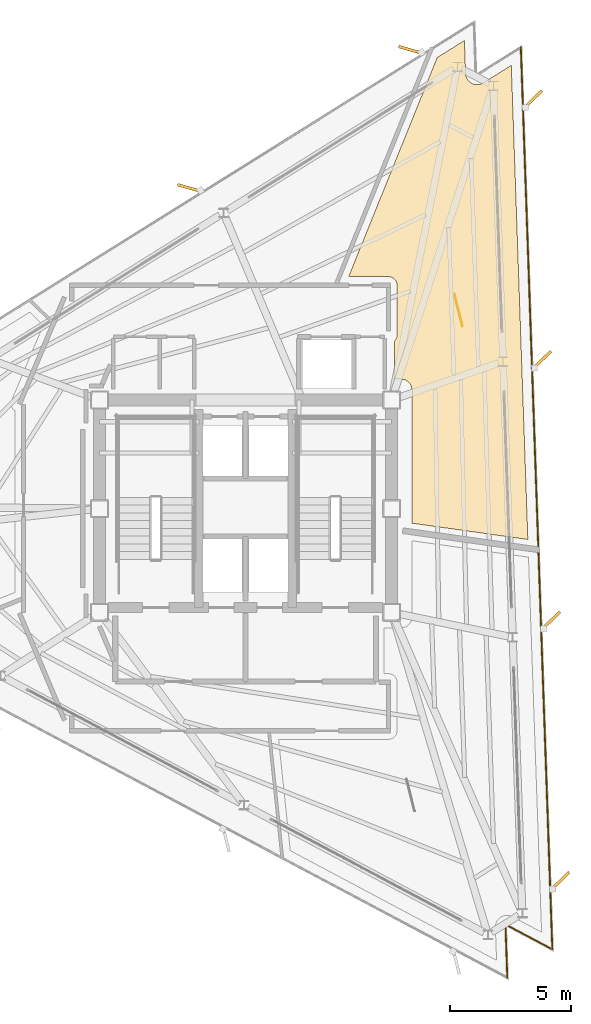
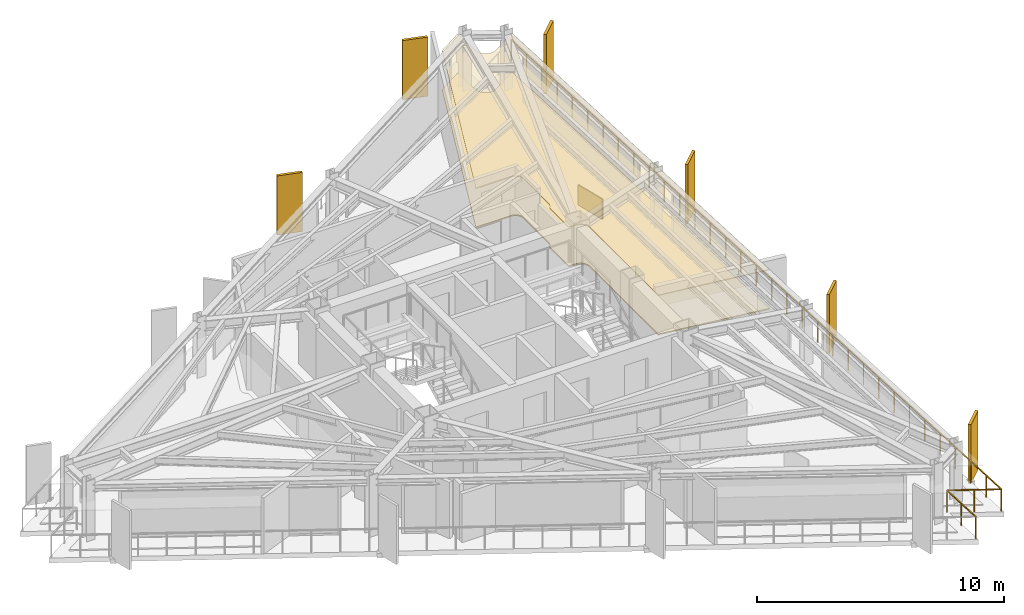
# One storey, part 12 of 12: 6 shading devices, 3 coverings, 1 railing.
"""IFC4 building model written with IfcOpenShell, lengths in metres."""

from ifc_helpers import new_model, si_unit, direction, frame, origin, origin_2d, place, context, subcontext, project, spatial, polyline, rectangle, outline, extrude, material, layer, layer_set, type_object, element, save


model = new_model("IFC4")

# Units and contexts
model_context = context("Model", 3, precision=1e-05, world=origin(), true_north=direction((0.0, 1.0)))
body_context = subcontext(model_context, "Body", "Model", "MODEL_VIEW")
ifc_project = project(units=[si_unit("LENGTHUNIT", "METRE"), si_unit("AREAUNIT", "SQUARE_METRE"), si_unit("VOLUMEUNIT", "CUBIC_METRE"), si_unit("PLANEANGLEUNIT", "RADIAN"), si_unit("MASSUNIT", "GRAM", prefix="KILO")], contexts=[model_context])

# Site, building, storey
site_placement = place(None, origin())
site = spatial("IfcSite", under=ifc_project, at=site_placement, CompositionType="ELEMENT")
building_placement = place(site_placement, origin())
building = spatial("IfcBuilding", under=site, at=building_placement, Name="Rocaltana Carrier Exchange", CompositionType="ELEMENT")
storey_placement = place(building_placement, frame((0.0, 0.0, 205.760009765625)))
storey = spatial("IfcBuildingStorey", under=building, at=storey_placement, Name="L65", CompositionType="ELEMENT", Elevation=205.760009765625)

# Coverings
ifc_material_1 = material(Name="Calcium Sulphate & Aluminium Pedestal", Category="aluminium")
ifc_layer_1 = layer(ifc_material_1, 0.06005859375)
ifc_layer_set_1 = layer_set([ifc_layer_1], Name="Calcium Sulphate & Aluminium Pedestal")
covering_type_1 = type_object("IfcCoveringType", Name="Anti-Static Raised Exchange Access Floor 60", PredefinedType="FLOORING", material=ifc_layer_set_1)
covering_1_placement = place(storey_placement, origin())
element("IfcCovering", 1, at=covering_1_placement, inside=storey, type_object=covering_type_1, Name="L65 Cloud Architecture Office Finish Floor", PredefinedType="FLOORING", context=body_context, shape_type="SweptSolid", body=[
    extrude(outline(polyline([(6.159912109375, 6.931884765625), (6.16455078125, 6.93603515625), (6.18408203125, 6.955322265625), (6.189208984375, 6.961181640625), (6.206787109375, 6.982421875), (6.21142578125, 6.98876953125), (6.226806640625, 7.01171875), (6.230712890625, 7.018310546875), (6.24365234375, 7.04248046875), (6.2470703125, 7.0498046875), (6.257568359375, 7.0751953125), (6.26025390625, 7.08251953125), (6.268310546875, 7.108642578125), (6.27001953125, 7.116455078125), (6.275390625, 7.143310546875), (6.276611328125, 7.151123046875), (6.279296875, 7.178466796875), (6.27978515625, 7.186279296875), (6.280029296875, 7.199951171875), (6.280029296875, 9.25), (6.27978515625, 9.263671875), (6.279296875, 9.271484375), (6.276611328125, 9.298828125), (6.275390625, 9.306640625), (6.27001953125, 9.33349609375), (6.268310546875, 9.34130859375), (6.26025390625, 9.36767578125), (6.257568359375, 9.375), (6.2470703125, 9.400390625), (6.24365234375, 9.407470703125), (6.230712890625, 9.431640625), (6.226806640625, 9.4384765625), (6.21142578125, 9.461181640625), (6.206787109375, 9.467529296875), (6.189208984375, 9.48876953125), (6.18408203125, 9.49462890625), (6.16455078125, 9.513916015625), (6.15869140625, 9.519287109375), (6.137451171875, 9.53662109375), (6.131103515625, 9.54150390625), (6.1083984375, 9.556640625), (6.101806640625, 9.560791015625), (6.077392578125, 9.57373046875), (6.0703125, 9.576904296875), (6.044921875, 9.58740234375), (6.03759765625, 9.590087890625), (6.01123046875, 9.59814453125), (6.003662109375, 9.60009765625), (5.976806640625, 9.60546875), (5.968994140625, 9.606689453125), (5.941650390625, 9.609375), (5.93359375, 9.609619140625), (5.919921875, 9.610107421875), (4.27099609375, 9.610107421875), (7.940673828125, 18.6923828125), (9.067626953125, 19.39697265625), (9.115478515625, 18.029052734375), (9.1162109375, 18.01513671875), (9.117919921875, 17.995361328125), (9.121826171875, 17.9677734375), (9.12548828125, 17.947998046875), (9.1318359375, 17.9208984375), (9.137451171875, 17.90185546875), (9.146484375, 17.87548828125), (9.154052734375, 17.85693359375), (9.166015625, 17.83154296875), (9.175048828125, 17.81396484375), (9.189208984375, 17.789794921875), (9.2001953125, 17.773193359375), (9.216796875, 17.750732421875), (9.2294921875, 17.7353515625), (9.248046875, 17.714599609375), (9.26220703125, 17.700439453125), (9.28271484375, 17.681640625), (9.298095703125, 17.6689453125), (9.320556640625, 17.65234375), (9.337158203125, 17.641357421875), (9.361083984375, 17.626953125), (9.37890625, 17.61767578125), (9.404052734375, 17.605712890625), (9.422607421875, 17.59814453125), (9.44873046875, 17.5888671875), (9.468017578125, 17.583251953125), (9.4951171875, 17.57666015625), (9.5146484375, 17.572998046875), (9.542236328125, 17.569091796875), (9.56201171875, 17.567138671875), (9.590087890625, 17.566162109375), (9.610107421875, 17.56640625), (9.6376953125, 17.56787109375), (9.65771484375, 17.570068359375), (9.685302734375, 17.57470703125), (9.70458984375, 17.57861328125), (9.731689453125, 17.5859375), (9.750732421875, 17.591796875), (9.77685546875, 17.601806640625), (9.795166015625, 17.609619140625), (9.820068359375, 17.6220703125), (9.83740234375, 17.631591796875), (9.849609375, 17.638916015625), (11.01025390625, 18.364013671875), (11.6962890625, -1.2802734375), (6.889892578125, -0.604736328125), (6.889892578125, 4.919921875), (6.8896484375, 4.93359375), (6.888916015625, 4.949462890625), (6.88623046875, 4.976806640625), (6.8837890625, 4.9921875), (6.87841796875, 5.019287109375), (6.874755859375, 5.034423828125), (6.86669921875, 5.060791015625), (6.861572265625, 5.07568359375), (6.850830078125, 5.100830078125), (6.84423828125, 5.114990234375), (6.831298828125, 5.139404296875), (6.8232421875, 5.15283203125), (6.807861328125, 5.17578125), (6.798583984375, 5.188232421875), (6.781005859375, 5.20947265625), (6.7705078125, 5.22119140625), (6.751220703125, 5.240478515625), (6.739501953125, 5.251220703125), (6.71826171875, 5.2685546875), (6.705810546875, 5.27783203125), (6.682861328125, 5.293212890625), (6.66943359375, 5.30126953125), (6.64501953125, 5.314208984375), (6.630859375, 5.32080078125), (6.605712890625, 5.33154296875), (6.5908203125, 5.336669921875), (6.564453125, 5.3447265625), (6.54931640625, 5.348388671875), (6.522216796875, 5.35400390625), (6.5068359375, 5.356201171875), (6.4794921875, 5.35888671875), (6.463623046875, 5.359619140625), (6.449951171875, 5.360107421875), (6.159912109375, 5.360107421875), (6.159912109375, 6.931884765625)])), origin(), (0.0, 0.0, 1.0), 0.06005859375),
])
ifc_material_2 = material(Name="Mineral Fibre & Powder-Coated Aluminium", Category="aluminium")
ifc_layer_2 = layer(ifc_material_2, 0.044921875)
ifc_layer_set_2 = layer_set([ifc_layer_2], Name="Mineral Fibre & Powder-Coated Aluminium")
covering_type_2 = type_object("IfcCoveringType", Name="Micro-Perforated Acoustic Ceiling 45", PredefinedType="CEILING", material=ifc_layer_set_2)
covering_2_placement = place(storey_placement, frame((0.0, 0.0, 1.94287109375)))
element("IfcCovering", 2, at=covering_2_placement, inside=storey, type_object=covering_type_2, Name="L65 Cloud Architecture Office Acoustic Ceiling", PredefinedType="CEILING", context=body_context, shape_type="SweptSolid", body=[
    extrude(outline(polyline([(6.159912109375, 6.931884765625), (6.16455078125, 6.93603515625), (6.18408203125, 6.955322265625), (6.189208984375, 6.961181640625), (6.206787109375, 6.982421875), (6.21142578125, 6.98876953125), (6.226806640625, 7.01171875), (6.230712890625, 7.018310546875), (6.24365234375, 7.04248046875), (6.2470703125, 7.0498046875), (6.257568359375, 7.0751953125), (6.26025390625, 7.08251953125), (6.268310546875, 7.108642578125), (6.27001953125, 7.116455078125), (6.275390625, 7.143310546875), (6.276611328125, 7.151123046875), (6.279296875, 7.178466796875), (6.27978515625, 7.186279296875), (6.280029296875, 7.199951171875), (6.280029296875, 9.25), (6.27978515625, 9.263671875), (6.279296875, 9.271484375), (6.276611328125, 9.298828125), (6.275390625, 9.306640625), (6.27001953125, 9.33349609375), (6.268310546875, 9.34130859375), (6.26025390625, 9.36767578125), (6.257568359375, 9.375), (6.2470703125, 9.400390625), (6.24365234375, 9.407470703125), (6.230712890625, 9.431640625), (6.226806640625, 9.4384765625), (6.21142578125, 9.461181640625), (6.206787109375, 9.467529296875), (6.189208984375, 9.48876953125), (6.18408203125, 9.49462890625), (6.16455078125, 9.513916015625), (6.15869140625, 9.519287109375), (6.137451171875, 9.53662109375), (6.131103515625, 9.54150390625), (6.1083984375, 9.556640625), (6.101806640625, 9.560791015625), (6.077392578125, 9.57373046875), (6.0703125, 9.576904296875), (6.044921875, 9.58740234375), (6.03759765625, 9.590087890625), (6.01123046875, 9.59814453125), (6.003662109375, 9.60009765625), (5.976806640625, 9.60546875), (5.968994140625, 9.606689453125), (5.941650390625, 9.609375), (5.93359375, 9.609619140625), (5.919921875, 9.610107421875), (4.27099609375, 9.610107421875), (7.940673828125, 18.6923828125), (9.067626953125, 19.39697265625), (9.115478515625, 18.029052734375), (9.1162109375, 18.01513671875), (9.117919921875, 17.995361328125), (9.121826171875, 17.9677734375), (9.12548828125, 17.947998046875), (9.1318359375, 17.9208984375), (9.137451171875, 17.90185546875), (9.146484375, 17.87548828125), (9.154052734375, 17.85693359375), (9.166015625, 17.83154296875), (9.175048828125, 17.81396484375), (9.189208984375, 17.789794921875), (9.2001953125, 17.773193359375), (9.216796875, 17.750732421875), (9.2294921875, 17.7353515625), (9.248046875, 17.714599609375), (9.26220703125, 17.700439453125), (9.28271484375, 17.681640625), (9.298095703125, 17.6689453125), (9.320556640625, 17.65234375), (9.337158203125, 17.641357421875), (9.361083984375, 17.626953125), (9.37890625, 17.61767578125), (9.404052734375, 17.605712890625), (9.422607421875, 17.59814453125), (9.44873046875, 17.5888671875), (9.468017578125, 17.583251953125), (9.4951171875, 17.57666015625), (9.5146484375, 17.572998046875), (9.542236328125, 17.569091796875), (9.56201171875, 17.567138671875), (9.590087890625, 17.566162109375), (9.610107421875, 17.56640625), (9.6376953125, 17.56787109375), (9.65771484375, 17.570068359375), (9.685302734375, 17.57470703125), (9.70458984375, 17.57861328125), (9.731689453125, 17.5859375), (9.750732421875, 17.591796875), (9.77685546875, 17.601806640625), (9.795166015625, 17.609619140625), (9.820068359375, 17.6220703125), (9.83740234375, 17.631591796875), (9.849609375, 17.638916015625), (11.01025390625, 18.364013671875), (11.6962890625, -1.2802734375), (6.889892578125, -0.604736328125), (6.889892578125, 4.919921875), (6.8896484375, 4.93359375), (6.888916015625, 4.949462890625), (6.88623046875, 4.976806640625), (6.8837890625, 4.9921875), (6.87841796875, 5.019287109375), (6.874755859375, 5.034423828125), (6.86669921875, 5.060791015625), (6.861572265625, 5.07568359375), (6.850830078125, 5.100830078125), (6.84423828125, 5.114990234375), (6.831298828125, 5.139404296875), (6.8232421875, 5.15283203125), (6.807861328125, 5.17578125), (6.798583984375, 5.188232421875), (6.781005859375, 5.20947265625), (6.7705078125, 5.22119140625), (6.751220703125, 5.240478515625), (6.739501953125, 5.251220703125), (6.71826171875, 5.2685546875), (6.705810546875, 5.27783203125), (6.682861328125, 5.293212890625), (6.66943359375, 5.30126953125), (6.64501953125, 5.314208984375), (6.630859375, 5.32080078125), (6.605712890625, 5.33154296875), (6.5908203125, 5.336669921875), (6.564453125, 5.3447265625), (6.54931640625, 5.348388671875), (6.522216796875, 5.35400390625), (6.5068359375, 5.356201171875), (6.4794921875, 5.35888671875), (6.463623046875, 5.359619140625), (6.449951171875, 5.360107421875), (6.159912109375, 5.360107421875), (6.159912109375, 6.931884765625)])), origin(), (0.0, 0.0, 1.0), 0.045166015625),
])
ifc_material_3 = material(Name="Honed Piedra Muneca Sandstone", Category="masonry")
ifc_layer_3 = layer(ifc_material_3, 0.034912109375)
ifc_layer_set_3 = layer_set([ifc_layer_3], Name="Honed Piedra Muneca Sandstone")
covering_type_3 = type_object("IfcCoveringType", Name="Stone Facade Cladding 35", PredefinedType="CLADDING", material=ifc_layer_set_3)
covering_3_placement = place(storey_placement, frame((8.822021484375, 8.22509765625, 0.0), z_axis=(0.0, 0.0, 1.0), x_axis=(-0.2419218956, 0.970295726276, 0.0)))
element("IfcCovering", 3, at=covering_3_placement, inside=storey, type_object=covering_type_3, Name="L65 Stone Facade Cladding Panel 3", PredefinedType="CLADDING", context=body_context, shape_type="SweptSolid", body=[
    extrude(rectangle(XDim=1.39990234375, YDim=0.034912109375, at=origin_2d()), origin(), (0.0, 0.0, 1.0), 1.050048828125),
])

# Shading devices
ifc_material_4 = material(Name="Honed Bogota Sandstone & Concrete C45/55", Category="masonry")
ifc_layer_4 = layer(ifc_material_4, 0.1201171875)
ifc_layer_set_4 = layer_set([ifc_layer_4], Name="Honed Bogota Sandstone & Concrete C45/55")
shading_device_type = type_object("IfcShadingDeviceType", Name="Upper Sandstone Shading Fin 1050x120", PredefinedType="USERDEFINED", material=ifc_layer_set_4)
for number, where, z_axis, x_axis, name in (
    (4, (13.03125, -15.43017578125, -0.119873046875), (0.0, 0.0, 1.0), (0.719339800339, 0.694658370459, 0.0), "L65 Sandstone Vertical Fin F1-01"),
    (5, (12.654296875, -4.63671875, -0.119873046875), (0.0, 0.0, 1.0), (0.719339800339, 0.694658370459, 0.0), "L65 Sandstone Vertical Fin F1-02"),
    (6, (12.27734375, 6.15673828125, -0.119873046875), (0.0, 0.0, 1.0), (0.719339800339, 0.694658370459, 0.0), "L65 Sandstone Vertical Fin F1-03"),
    (7, (11.900390625, 16.9501953125, -0.119873046875), (0.0, 0.0, 1.0), (0.719339800339, 0.694658370459, 0.0), "L65 Sandstone Vertical Fin F1-04"),
    (8, (6.84716796875, 19.00048828125, -0.119873046875), (0.0, 0.0, 1.0), (-0.961261695938, 0.275637355817, 0.0), "L65 Sandstone Vertical Fin F2-01"),
    (9, (-2.311767578125, 13.27734375, -0.119873046875), (0.0, 0.0, 1.0), (-0.961261695938, 0.275637355817, 0.0), "L65 Sandstone Vertical Fin F2-02"),
):
    element("IfcShadingDevice", number, at=place(storey_placement, frame(where, z_axis=z_axis, x_axis=x_axis)), inside=storey, type_object=shading_device_type, Name=name, ObjectType="FIN", PredefinedType="USERDEFINED", context=body_context, shape_type="SweptSolid", body=[
        extrude(rectangle(XDim=1.050048828125, YDim=0.1201171875, at=origin_2d()), origin(), (0.0, 0.0, 1.0), 2.91796875),
    ])

# Railing
ifc_material_5 = material(Name="Powder-Coated Aluminium 6063-T6", Category="aluminium")
ifc_layer_5 = layer(ifc_material_5, 0.06005859375)
ifc_layer_set_5 = layer_set([ifc_layer_5], Name="Powder-Coated Aluminium 6063-T6")
railing_type = type_object("IfcRailingType", Name="Wind-Floor & Terrace Perimeter Guardrail 1100", PredefinedType="GUARDRAIL", material=ifc_layer_set_5)
railing_placement = place(storey_placement, frame((11.404541015625, 19.105712890625, 0.0)))
element("IfcRailing", 10, at=railing_placement, inside=storey, type_object=railing_type, Name="L65 Perimeter Balcony Guardrail 3", PredefinedType="GUARDRAIL", context=body_context, shape_type="SweptSolid", body=[
    extrude(rectangle(XDim=0.048095703125, YDim=0.048095703125, at=origin_2d()), frame((0.0, 0.0, 1.076171875), z_axis=(0.034898534283, -0.999390860627, 0.0), x_axis=(0.999390860627, 0.034898534283, 0.0)), (0.0, 0.0, 1.0), 37.39208984375),
    extrude(rectangle(XDim=0.048095703125, YDim=0.048095703125, at=origin_2d()), frame((1.304931640625, -37.369384765625, 1.076171875), z_axis=(-0.882914480843, 0.469533832133, 0.0), x_axis=(-0.469533832133, -0.882914480843, 0.0)), (0.0, 0.0, 1.0), 2.199951171875),
    extrude(rectangle(XDim=0.048095703125, YDim=0.048095703125, at=origin_2d()), frame((-0.637451171875, -36.33642578125, 1.076171875), z_axis=(0.034844472857, -0.999392746978, 0.0), x_axis=(0.999392746978, 0.034844472857, 0.0)), (0.0, 0.0, 1.0), 2.199951171875),
    extrude(rectangle(XDim=0.0419921875, YDim=0.0419921875, at=origin_2d()), origin(), (0.0, 0.0, 1.0), 1.052001953125),
    extrude(rectangle(XDim=0.0419921875, YDim=0.0419921875, at=origin_2d()), frame((0.040771484375, -1.167724609375, 0.0)), (0.0, 0.0, 1.0), 1.052001953125),
    extrude(rectangle(XDim=0.0419921875, YDim=0.0419921875, at=origin_2d()), frame((0.08154296875, -2.335693359375, 0.0)), (0.0, 0.0, 1.0), 1.052001953125),
    extrude(rectangle(XDim=0.0419921875, YDim=0.0419921875, at=origin_2d()), frame((0.122314453125, -3.50341796875, 0.0)), (0.0, 0.0, 1.0), 1.052001953125),
    extrude(rectangle(XDim=0.0419921875, YDim=0.0419921875, at=origin_2d()), frame((0.1630859375, -4.671142578125, 0.0)), (0.0, 0.0, 1.0), 1.052001953125),
    extrude(rectangle(XDim=0.0419921875, YDim=0.0419921875, at=origin_2d()), frame((0.203857421875, -5.8388671875, 0.0)), (0.0, 0.0, 1.0), 1.052001953125),
    extrude(rectangle(XDim=0.0419921875, YDim=0.0419921875, at=origin_2d()), frame((0.24462890625, -7.0068359375, 0.0)), (0.0, 0.0, 1.0), 1.052001953125),
    extrude(rectangle(XDim=0.0419921875, YDim=0.0419921875, at=origin_2d()), frame((0.285400390625, -8.174560546875, 0.0)), (0.0, 0.0, 1.0), 1.052001953125),
    extrude(rectangle(XDim=0.0419921875, YDim=0.0419921875, at=origin_2d()), frame((0.326171875, -9.34228515625, 0.0)), (0.0, 0.0, 1.0), 1.052001953125),
    extrude(rectangle(XDim=0.0419921875, YDim=0.0419921875, at=origin_2d()), frame((0.366943359375, -10.51025390625, 0.0)), (0.0, 0.0, 1.0), 1.052001953125),
    extrude(rectangle(XDim=0.0419921875, YDim=0.0419921875, at=origin_2d()), frame((0.40771484375, -11.677978515625, 0.0)), (0.0, 0.0, 1.0), 1.052001953125),
    extrude(rectangle(XDim=0.0419921875, YDim=0.0419921875, at=origin_2d()), frame((0.448486328125, -12.845703125, 0.0)), (0.0, 0.0, 1.0), 1.052001953125),
    extrude(rectangle(XDim=0.0419921875, YDim=0.0419921875, at=origin_2d()), frame((0.4892578125, -14.013427734375, 0.0)), (0.0, 0.0, 1.0), 1.052001953125),
    extrude(rectangle(XDim=0.0419921875, YDim=0.0419921875, at=origin_2d()), frame((0.530029296875, -15.181396484375, 0.0)), (0.0, 0.0, 1.0), 1.052001953125),
    extrude(rectangle(XDim=0.0419921875, YDim=0.0419921875, at=origin_2d()), frame((0.57080078125, -16.34912109375, 0.0)), (0.0, 0.0, 1.0), 1.052001953125),
    extrude(rectangle(XDim=0.0419921875, YDim=0.0419921875, at=origin_2d()), frame((0.611572265625, -17.516845703125, 0.0)), (0.0, 0.0, 1.0), 1.052001953125),
    extrude(rectangle(XDim=0.0419921875, YDim=0.0419921875, at=origin_2d()), frame((0.65234375, -18.6845703125, 0.0)), (0.0, 0.0, 1.0), 1.052001953125),
    extrude(rectangle(XDim=0.0419921875, YDim=0.0419921875, at=origin_2d()), frame((0.693359375, -19.8525390625, 0.0)), (0.0, 0.0, 1.0), 1.052001953125),
    extrude(rectangle(XDim=0.0419921875, YDim=0.0419921875, at=origin_2d()), frame((0.734130859375, -21.020263671875, 0.0)), (0.0, 0.0, 1.0), 1.052001953125),
    extrude(rectangle(XDim=0.0419921875, YDim=0.0419921875, at=origin_2d()), frame((0.77490234375, -22.18798828125, 0.0)), (0.0, 0.0, 1.0), 1.052001953125),
    extrude(rectangle(XDim=0.0419921875, YDim=0.0419921875, at=origin_2d()), frame((0.815673828125, -23.35595703125, 0.0)), (0.0, 0.0, 1.0), 1.052001953125),
    extrude(rectangle(XDim=0.0419921875, YDim=0.0419921875, at=origin_2d()), frame((0.8564453125, -24.523681640625, 0.0)), (0.0, 0.0, 1.0), 1.052001953125),
    extrude(rectangle(XDim=0.0419921875, YDim=0.0419921875, at=origin_2d()), frame((0.897216796875, -25.69140625, 0.0)), (0.0, 0.0, 1.0), 1.052001953125),
    extrude(rectangle(XDim=0.0419921875, YDim=0.0419921875, at=origin_2d()), frame((0.93798828125, -26.859130859375, 0.0)), (0.0, 0.0, 1.0), 1.052001953125),
    extrude(rectangle(XDim=0.0419921875, YDim=0.0419921875, at=origin_2d()), frame((0.978759765625, -28.027099609375, 0.0)), (0.0, 0.0, 1.0), 1.052001953125),
    extrude(rectangle(XDim=0.0419921875, YDim=0.0419921875, at=origin_2d()), frame((1.01953125, -29.19482421875, 0.0)), (0.0, 0.0, 1.0), 1.052001953125),
    extrude(rectangle(XDim=0.0419921875, YDim=0.0419921875, at=origin_2d()), frame((1.060302734375, -30.362548828125, 0.0)), (0.0, 0.0, 1.0), 1.052001953125),
    extrude(rectangle(XDim=0.0419921875, YDim=0.0419921875, at=origin_2d()), frame((1.10107421875, -31.530517578125, 0.0)), (0.0, 0.0, 1.0), 1.052001953125),
    extrude(rectangle(XDim=0.0419921875, YDim=0.0419921875, at=origin_2d()), frame((1.141845703125, -32.6982421875, 0.0)), (0.0, 0.0, 1.0), 1.052001953125),
    extrude(rectangle(XDim=0.0419921875, YDim=0.0419921875, at=origin_2d()), frame((1.1826171875, -33.865966796875, 0.0)), (0.0, 0.0, 1.0), 1.052001953125),
    extrude(rectangle(XDim=0.0419921875, YDim=0.0419921875, at=origin_2d()), frame((1.223388671875, -35.03369140625, 0.0)), (0.0, 0.0, 1.0), 1.052001953125),
    extrude(rectangle(XDim=0.0419921875, YDim=0.0419921875, at=origin_2d()), frame((1.26416015625, -36.20166015625, 0.0)), (0.0, 0.0, 1.0), 1.052001953125),
    extrude(rectangle(XDim=0.0419921875, YDim=0.0419921875, at=origin_2d()), frame((1.304931640625, -37.369384765625, 0.0)), (0.0, 0.0, 1.0), 1.052001953125),
    extrude(rectangle(XDim=0.0419921875, YDim=0.0419921875, at=origin_2d()), frame((0.333740234375, -36.85302734375, 0.0)), (0.0, 0.0, 1.0), 1.052001953125),
    extrude(rectangle(XDim=0.0419921875, YDim=0.0419921875, at=origin_2d()), frame((-0.637451171875, -36.33642578125, 0.0)), (0.0, 0.0, 1.0), 1.052001953125),
    extrude(rectangle(XDim=0.0419921875, YDim=0.0419921875, at=origin_2d()), frame((-0.59912109375, -37.435791015625, 0.0)), (0.0, 0.0, 1.0), 1.052001953125),
    extrude(rectangle(XDim=0.0419921875, YDim=0.0419921875, at=origin_2d()), frame((-0.560791015625, -38.53515625, 0.0)), (0.0, 0.0, 1.0), 1.052001953125),
])

save(model, "model.ifc")
